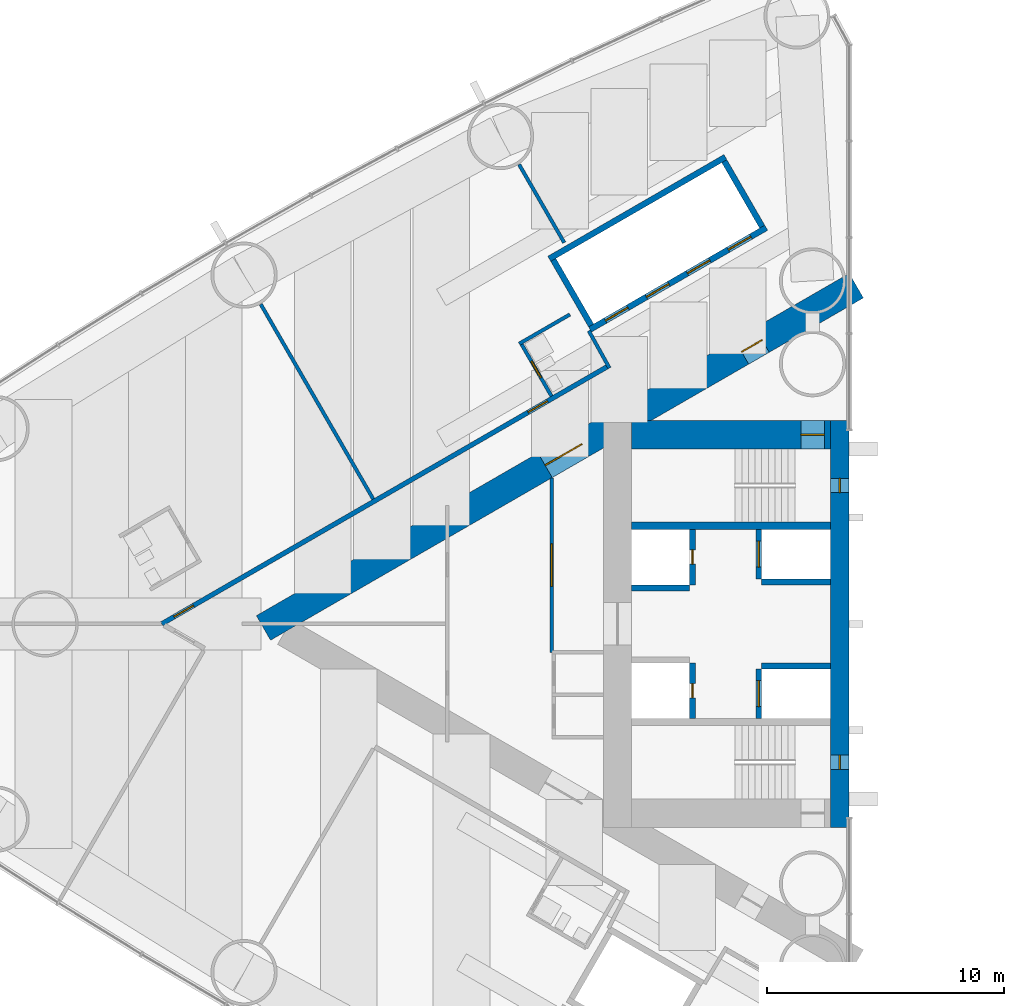
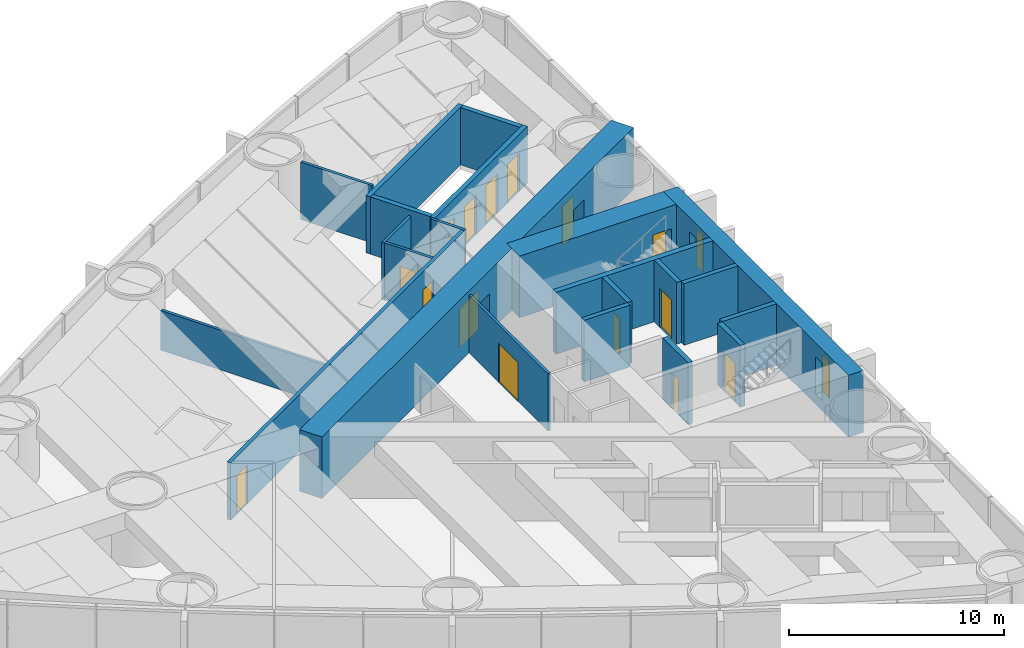
# One storey, part 12 of 18: 22 walls, 15 doors, 2 windows, 17 openings.
"""IFC4 building model written with IfcOpenShell, lengths in metres."""

from ifc_helpers import new_model, si_unit, direction, frame, frame_2d, origin, place, context, subcontext, project, spatial, rectangle, extrude, material, layer, layer_set, type_object, element, fill, save


model = new_model("IFC4")

# Units and contexts
model_context = context("Model", 3, precision=1e-05, world=origin(), true_north=direction((0.0, 1.0)))
body_context = subcontext(model_context, "Body", "Model", "MODEL_VIEW")
ifc_project = project(units=[si_unit("LENGTHUNIT", "METRE"), si_unit("AREAUNIT", "SQUARE_METRE"), si_unit("VOLUMEUNIT", "CUBIC_METRE"), si_unit("PLANEANGLEUNIT", "RADIAN"), si_unit("MASSUNIT", "GRAM", prefix="KILO")], contexts=[model_context])

# Site, building, storey
site_placement = place(None, origin())
site = spatial("IfcSite", under=ifc_project, at=site_placement, CompositionType="ELEMENT")
building_placement = place(site_placement, origin())
building = spatial("IfcBuilding", under=site, at=building_placement, Name="Lancet Gate Hotel", CompositionType="ELEMENT")
storey_placement = place(building_placement, frame((0.0, 0.0, 49.5)))
storey = spatial("IfcBuildingStorey", under=building, at=storey_placement, Name="L12", CompositionType="ELEMENT", Elevation=49.5)

# Wall
ifc_material_1 = material(Name="Moisture resistant board partition")
ifc_layer_1 = layer(ifc_material_1, 0.14990234375)
ifc_layer_set_1 = layer_set([ifc_layer_1], Name="Bathroom wall 150")
wall_type_1 = type_object("IfcWallType", Name="Bathroom wall 150", PredefinedType="PARTITIONING", material=ifc_layer_set_1)
wall_1_placement = place(storey_placement, frame((-39.309814453125, 13.081787109375, 0.0), z_axis=(0.0, 0.0, 1.0), x_axis=(-0.866031185235, -0.4999899861, 0.0)))
element("IfcWall", 1, at=wall_1_placement, inside=storey, type_object=wall_type_1, Name="T1 bathroom wall 150 L12", PredefinedType="PARTITIONING", context=body_context, shape_type="SweptSolid", body=[
    extrude(rectangle(XDim=2.47509765625, YDim=0.14990234375, at=frame_2d((1.237548828125, 0.0))), origin(), (0.0, 0.0, 1.0), 3.25),
])

# Wall, opening, door
wall_2_placement = place(storey_placement, frame((-40.08837890625, 9.630126953125, 0.0), z_axis=(0.0, 0.0, 1.0), x_axis=(-0.500006934395, 0.866021400173, 0.0)))
wall_2 = element("IfcWall", 2, at=wall_2_placement, inside=storey, type_object=wall_type_1, Name="T1 bathroom wall 150 L12", PredefinedType="PARTITIONING", context=body_context, shape_type="SweptSolid", body=[
    extrude(rectangle(XDim=2.60009765625, YDim=0.14990234375, at=frame_2d((1.300048828125, 0.0))), origin(), (0.0, 0.0, 1.0), 3.25),
])
opening_1_placement = place(wall_2_placement, frame((0.89990234375, 0.0, 0.0)))
opening_1 = element("IfcOpeningElement", 3, at=opening_1_placement, cuts=wall_2, Name="Opening 1202-B", PredefinedType="OPENING", context=body_context, shape_type="SweptSolid", body=[
    extrude(rectangle(XDim=0.800048828125, YDim=2.199951171875, at=frame_2d((0.39990234375, 1.10009765625))), frame((0.0, 0.0849609375, 0.0), z_axis=(0.0, -1.0, 0.0), x_axis=(1.0, 0.0, 0.0)), (0.0, 0.0, 1.0), 0.169921875),
])
ifc_material_2 = material(Name="Timber door set", Category="wood")
door_type_1 = type_object("IfcDoorType", Name="Bathroom door 800", OperationType="SINGLE_SWING_RIGHT", PredefinedType="DOOR", material=ifc_material_2)
door_1_placement = place(opening_1_placement, origin())
door_1 = element("IfcDoor", 4, at=door_1_placement, inside=storey, type_object=door_type_1, Name="1202-B", OperationType="SINGLE_SWING_RIGHT", OverallHeight=2.199951171875, OverallWidth=0.800048828125, PredefinedType="DOOR", context=body_context, shape_type="SweptSolid", body=[
    extrude(rectangle(XDim=0.800048828125, YDim=2.199951171875, at=frame_2d((0.39990234375, 1.10009765625))), frame((0.0, 0.02490234375, 0.0), z_axis=(0.0, -1.0, 0.0), x_axis=(1.0, 0.0, 0.0)), (0.0, 0.0, 1.0), 0.050048828125),
])
fill(opening_1, door_1)

# Wall, openings, doors
ifc_material_3 = material(Name="Concrete C70/85", Category="concrete")
ifc_layer_2 = layer(ifc_material_3, 1.199951171875)
ifc_layer_set_2 = layer_set([ifc_layer_2], Name="Buttress wall 1200")
wall_type_2 = type_object("IfcWallType", Name="Buttress wall 1200", PredefinedType="SHEAR", material=ifc_layer_set_2)
wall_3_placement = place(storey_placement, frame((-27.199951171875, 14.300048828125, 0.0), z_axis=(0.0, 0.0, 1.0), x_axis=(-0.866026593062, -0.499997940104, 0.0)))
wall_3 = element("IfcWall", 5, at=wall_3_placement, inside=storey, type_object=wall_type_2, Name="T1 buttress wall S L12", PredefinedType="SHEAR", context=body_context, shape_type="SweptSolid", body=[
    extrude(rectangle(XDim=28.9462890625, YDim=1.199951171875, at=frame_2d((14.47314453125, 0.0))), origin(), (0.0, 0.0, 1.0), 3.5),
])
opening_2_placement = place(wall_3_placement, frame((4.60009765625, 0.0, 0.0)))
opening_2 = element("IfcOpeningElement", 6, at=opening_2_placement, cuts=wall_3, Name="Opening T1-L12-LS", PredefinedType="OPENING", context=body_context, shape_type="SweptSolid", body=[
    extrude(rectangle(XDim=1.0, YDim=2.199951171875, at=frame_2d((0.5, 1.10009765625))), frame((0.0, 0.60986328125, 0.0), z_axis=(0.0, -1.0, 0.0), x_axis=(1.0, 0.0, 0.0)), (0.0, 0.0, 1.0), 1.219970703125),
])
opening_3_placement = place(wall_3_placement, frame((13.39453125, 0.0, 0.0)))
opening_3 = element("IfcOpeningElement", 7, at=opening_3_placement, cuts=wall_3, Name="Opening T1-L12-LHS", PredefinedType="OPENING", context=body_context, shape_type="SweptSolid", body=[
    extrude(rectangle(XDim=1.800048828125, YDim=2.199951171875, at=frame_2d((0.89990234375, 1.10009765625))), frame((0.0, 0.60986328125, 0.0), z_axis=(0.0, -1.0, 0.0), x_axis=(1.0, 0.0, 0.0)), (0.0, 0.0, 1.0), 1.219970703125),
])
ifc_material_4 = material(Name="Timber door set", Category="wood")
door_type_2 = type_object("IfcDoorType", Name="Lobby double door 1800", OperationType="DOUBLE_DOOR_SINGLE_SWING", PredefinedType="DOOR", material=ifc_material_4)
door_2_placement = place(opening_3_placement, origin())
door_2 = element("IfcDoor", 8, at=door_2_placement, inside=storey, type_object=door_type_2, Name="T1-L12-LHS", OperationType="DOUBLE_DOOR_SINGLE_SWING", OverallHeight=2.199951171875, OverallWidth=1.800048828125, PredefinedType="DOOR", context=body_context, shape_type="SweptSolid", body=[
    extrude(rectangle(XDim=1.800048828125, YDim=2.199951171875, at=frame_2d((0.89990234375, 1.10009765625))), frame((0.0, 0.02490234375, 0.0), z_axis=(0.0, -1.0, 0.0), x_axis=(1.0, 0.0, 0.0)), (0.0, 0.0, 1.0), 0.050048828125),
])
fill(opening_3, door_2)
ifc_material_5 = material(Name="Timber door set", Category="wood")
door_type_3 = type_object("IfcDoorType", Name="Stair lobby door 1000", OperationType="SINGLE_SWING_LEFT", PredefinedType="DOOR", material=ifc_material_5)
door_3_placement = place(opening_2_placement, origin())
door_3 = element("IfcDoor", 9, at=door_3_placement, inside=storey, type_object=door_type_3, Name="T1-L12-LS", OperationType="SINGLE_SWING_LEFT", OverallHeight=2.199951171875, OverallWidth=1.0, PredefinedType="DOOR", context=body_context, shape_type="SweptSolid", body=[
    extrude(rectangle(XDim=1.0, YDim=2.199951171875, at=frame_2d((0.5, 1.10009765625))), frame((0.0, 0.02490234375, 0.0), z_axis=(0.0, -1.0, 0.0), x_axis=(1.0, 0.0, 0.0)), (0.0, 0.0, 1.0), 0.050048828125),
])
fill(opening_2, door_3)

# Wall, opening, door
ifc_material_6 = material(Name="Concrete C70/85", Category="concrete")
ifc_layer_3 = layer(ifc_material_6, 1.199951171875)
ifc_layer_set_3 = layer_set([ifc_layer_3], Name="Core wall 1200")
wall_type_3 = type_object("IfcWallType", Name="Core wall 1200", PredefinedType="SHEAR", material=ifc_layer_set_3)
wall_4_placement = place(storey_placement, frame((-28.300048828125, 8.0, 0.0), z_axis=(0.0, 0.0, 1.0), x_axis=(-1.0, 0.0, 0.0)))
wall_4 = element("IfcWall", 10, at=wall_4_placement, inside=storey, type_object=wall_type_3, Name="T1 core wall side-S L12", PredefinedType="SHEAR", context=body_context, shape_type="SweptSolid", body=[
    extrude(rectangle(XDim=8.39990234375, YDim=1.199951171875, at=frame_2d((4.199951171875, 0.0))), origin(), (0.0, 0.0, 1.0), 3.5),
])
opening_4_placement = place(wall_4_placement, frame((0.25, 0.0, 0.0)))
opening_4 = element("IfcOpeningElement", 11, at=opening_4_placement, cuts=wall_4, Name="Opening T1-L12-ST1", PredefinedType="OPENING", context=body_context, shape_type="SweptSolid", body=[
    extrude(rectangle(XDim=1.0, YDim=2.199951171875, at=frame_2d((0.5, 1.10009765625))), frame((0.0, 0.60986328125, 0.0), z_axis=(0.0, -1.0, 0.0), x_axis=(1.0, 0.0, 0.0)), (0.0, 0.0, 1.0), 1.219970703125),
])
ifc_material_7 = material(Name="Timber door set", Category="wood")
door_type_4 = type_object("IfcDoorType", Name="Stair door 1000", OperationType="SINGLE_SWING_RIGHT", PredefinedType="DOOR", material=ifc_material_7)
door_4_placement = place(opening_4_placement, origin())
door_4 = element("IfcDoor", 12, at=door_4_placement, inside=storey, type_object=door_type_4, Name="T1-L12-ST1", OperationType="SINGLE_SWING_RIGHT", OverallHeight=2.199951171875, OverallWidth=1.0, PredefinedType="DOOR", context=body_context, shape_type="SweptSolid", body=[
    extrude(rectangle(XDim=1.0, YDim=2.199951171875, at=frame_2d((0.5, 1.10009765625))), frame((0.0, 0.02490234375, 0.0), z_axis=(0.0, -1.0, 0.0), x_axis=(1.0, 0.0, 0.0)), (0.0, 0.0, 1.0), 0.050048828125),
])
fill(opening_4, door_4)

# Wall, openings, windows
ifc_material_8 = material(Name="Concrete C70/85", Category="concrete")
ifc_layer_4 = layer(ifc_material_8, 0.800048828125)
ifc_layer_set_4 = layer_set([ifc_layer_4], Name="Core wall 800")
wall_type_4 = type_object("IfcWallType", Name="Core wall 800", PredefinedType="SHEAR", material=ifc_layer_set_4)
wall_5_placement = place(storey_placement, frame((-27.89990234375, 8.60009765625, 0.0), z_axis=(0.0, 0.0, 1.0), x_axis=(0.0, -1.0, 0.0)))
wall_5 = element("IfcWall", 13, at=wall_5_placement, inside=storey, type_object=wall_type_4, Name="T1 core wall front L12", PredefinedType="SHEAR", context=body_context, shape_type="SweptSolid", body=[
    extrude(rectangle(XDim=17.2001953125, YDim=0.800048828125, at=frame_2d((8.60009765625, 0.0))), origin(), (0.0, 0.0, 1.0), 3.5),
])
opening_5_placement = place(wall_5_placement, frame((2.449951171875, 0.0, 0.60009765625)))
opening_5 = element("IfcOpeningElement", 14, at=opening_5_placement, cuts=wall_5, Name="Opening LW1", PredefinedType="OPENING", context=body_context, shape_type="SweptSolid", body=[
    extrude(rectangle(XDim=0.60009765625, YDim=2.10009765625, at=frame_2d((0.300048828125, 1.050048828125))), frame((0.0, 0.409912109375, 0.0), z_axis=(0.0, -1.0, 0.0), x_axis=(1.0, 0.0, 0.0)), (0.0, 0.0, 1.0), 0.820068359375),
])
opening_6_placement = place(wall_5_placement, frame((14.14990234375, 0.0, 0.60009765625)))
opening_6 = element("IfcOpeningElement", 15, at=opening_6_placement, cuts=wall_5, Name="Opening LW1", PredefinedType="OPENING", context=body_context, shape_type="SweptSolid", body=[
    extrude(rectangle(XDim=0.60009765625, YDim=2.10009765625, at=frame_2d((0.300048828125, 1.050048828125))), frame((0.0, 0.409912109375, 0.0), z_axis=(0.0, -1.0, 0.0), x_axis=(1.0, 0.0, 0.0)), (0.0, 0.0, 1.0), 0.820068359375),
])
ifc_material_9 = material(Name="Fire-resisting glazed steel window", Category="steel")
window_type = type_object("IfcWindowType", Name="Lancet window 600x2100", PartitioningType="SINGLE_PANEL", PredefinedType="WINDOW", material=ifc_material_9)
window_1_placement = place(opening_5_placement, origin())
window_1 = element("IfcWindow", 16, at=window_1_placement, inside=storey, type_object=window_type, Name="T1 stair window S L12", OverallHeight=2.10009765625, OverallWidth=0.60009765625, PartitioningType="SINGLE_PANEL", PredefinedType="WINDOW", context=body_context, shape_type="SweptSolid", body=[
    extrude(rectangle(XDim=0.60009765625, YDim=2.10009765625, at=frame_2d((0.300048828125, 1.050048828125))), frame((0.0, 0.030029296875, 0.0), z_axis=(0.0, -1.0, 0.0), x_axis=(1.0, 0.0, 0.0)), (0.0, 0.0, 1.0), 0.06005859375),
])
fill(opening_5, window_1)
window_2_placement = place(opening_6_placement, origin())
window_2 = element("IfcWindow", 17, at=window_2_placement, inside=storey, type_object=window_type, Name="T1 stair window N L12", OverallHeight=2.10009765625, OverallWidth=0.60009765625, PartitioningType="SINGLE_PANEL", PredefinedType="WINDOW", context=body_context, shape_type="SweptSolid", body=[
    extrude(rectangle(XDim=0.60009765625, YDim=2.10009765625, at=frame_2d((0.300048828125, 1.050048828125))), frame((0.0, 0.030029296875, 0.0), z_axis=(0.0, -1.0, 0.0), x_axis=(1.0, 0.0, 0.0)), (0.0, 0.0, 1.0), 0.06005859375),
])
fill(opening_6, window_2)

# Wall, openings, doors
ifc_material_10 = material(Name="Gypsum board partition")
ifc_layer_5 = layer(ifc_material_10, 0.199951171875)
ifc_layer_set_5 = layer_set([ifc_layer_5], Name="Corridor wall 200")
wall_type_5 = type_object("IfcWallType", Name="Corridor wall 200", PredefinedType="PARTITIONING", material=ifc_layer_set_5)
wall_6_placement = place(storey_placement, frame((-37.699951171875, 10.8935546875, 0.0), z_axis=(0.0, 0.0, 1.0), x_axis=(-0.866027905338, -0.499995667157, 0.0)))
wall_6 = element("IfcWall", 18, at=wall_6_placement, inside=storey, type_object=wall_type_5, Name="T1 corridor wall 200 L12", PredefinedType="PARTITIONING", context=body_context, shape_type="SweptSolid", body=[
    extrude(rectangle(XDim=21.787353515625, YDim=0.199951171875, at=frame_2d((10.8935546875, 0.0))), origin(), (0.0, 0.0, 1.0), 3.25),
])
opening_7_placement = place(wall_6_placement, frame((20.237060546875, 0.0, 0.0)))
opening_7 = element("IfcOpeningElement", 19, at=opening_7_placement, cuts=wall_6, Name="Opening 1203-E", PredefinedType="OPENING", context=body_context, shape_type="SweptSolid", body=[
    extrude(rectangle(XDim=0.949951171875, YDim=2.199951171875, at=frame_2d((0.47509765625, 1.10009765625))), frame((0.0, 0.10986328125, 0.0), z_axis=(0.0, -1.0, 0.0), x_axis=(1.0, 0.0, 0.0)), (0.0, 0.0, 1.0), 0.219970703125),
])
opening_8_placement = place(wall_6_placement, frame((2.949951171875, 0.0, 0.0)))
opening_8 = element("IfcOpeningElement", 20, at=opening_8_placement, cuts=wall_6, Name="Opening 1202-E", PredefinedType="OPENING", context=body_context, shape_type="SweptSolid", body=[
    extrude(rectangle(XDim=0.949951171875, YDim=2.199951171875, at=frame_2d((0.47509765625, 1.10009765625))), frame((0.0, 0.10986328125, 0.0), z_axis=(0.0, -1.0, 0.0), x_axis=(1.0, 0.0, 0.0)), (0.0, 0.0, 1.0), 0.219970703125),
])
ifc_material_11 = material(Name="Timber door set", Category="wood")
door_type_5 = type_object("IfcDoorType", Name="Guest room entry door 950", OperationType="SINGLE_SWING_LEFT", PredefinedType="DOOR", material=ifc_material_11)
door_5_placement = place(opening_7_placement, origin())
door_5 = element("IfcDoor", 21, at=door_5_placement, inside=storey, type_object=door_type_5, Name="1203-E", OperationType="SINGLE_SWING_LEFT", OverallHeight=2.199951171875, OverallWidth=0.949951171875, PredefinedType="DOOR", context=body_context, shape_type="SweptSolid", body=[
    extrude(rectangle(XDim=0.949951171875, YDim=2.199951171875, at=frame_2d((0.47509765625, 1.10009765625))), frame((0.0, 0.02490234375, 0.0), z_axis=(0.0, -1.0, 0.0), x_axis=(1.0, 0.0, 0.0)), (0.0, 0.0, 1.0), 0.050048828125),
])
fill(opening_7, door_5)
door_6_placement = place(opening_8_placement, origin())
door_6 = element("IfcDoor", 22, at=door_6_placement, inside=storey, type_object=door_type_5, Name="1202-E", OperationType="SINGLE_SWING_LEFT", OverallHeight=2.199951171875, OverallWidth=0.949951171875, PredefinedType="DOOR", context=body_context, shape_type="SweptSolid", body=[
    extrude(rectangle(XDim=0.949951171875, YDim=2.199951171875, at=frame_2d((0.47509765625, 1.10009765625))), frame((0.0, 0.02490234375, 0.0), z_axis=(0.0, -1.0, 0.0), x_axis=(1.0, 0.0, 0.0)), (0.0, 0.0, 1.0), 0.050048828125),
])
fill(opening_8, door_6)

ifc_material_12 = material(Name="Gypsum board partition")
ifc_layer_6 = layer(ifc_material_12, 0.25)
ifc_layer_set_6 = layer_set([ifc_layer_6], Name="Lift shaft partition 250")
wall_type_6 = type_object("IfcWallType", Name="Lift shaft partition 250", PredefinedType="PARTITIONING", material=ifc_layer_set_6)
wall_7_placement = place(storey_placement, frame((-31.010498046875, 16.747314453125, 0.0), z_axis=(0.0, 0.0, 1.0), x_axis=(-0.866028165386, -0.499995216735, 0.0)))
wall_7 = element("IfcWall", 23, at=wall_7_placement, inside=storey, type_object=wall_type_6, Name="T1 lift shaft wall LR L12", PredefinedType="PARTITIONING", context=body_context, shape_type="SweptSolid", body=[
    extrude(rectangle(XDim=8.60009765625, YDim=0.25, at=frame_2d((4.300048828125, 0.0))), origin(), (0.0, 0.0, 1.0), 3.25),
])
opening_9_placement = place(wall_7_placement, frame((0.75, 0.0, 0.0)))
opening_9 = element("IfcOpeningElement", 24, at=opening_9_placement, cuts=wall_7, Name="Opening T1-LR1-L12", PredefinedType="OPENING", context=body_context, shape_type="SweptSolid", body=[
    extrude(rectangle(XDim=1.10009765625, YDim=2.199951171875, at=frame_2d((0.550048828125, 1.10009765625))), frame((0.0, 0.135009765625, 0.0), z_axis=(0.0, -1.0, 0.0), x_axis=(1.0, 0.0, 0.0)), (0.0, 0.0, 1.0), 0.27001953125),
])
opening_10_placement = place(wall_7_placement, frame((2.75, 0.0, 0.0)))
opening_10 = element("IfcOpeningElement", 25, at=opening_10_placement, cuts=wall_7, Name="Opening T1-LR2-L12", PredefinedType="OPENING", context=body_context, shape_type="SweptSolid", body=[
    extrude(rectangle(XDim=1.10009765625, YDim=2.199951171875, at=frame_2d((0.550048828125, 1.10009765625))), frame((0.0, 0.135009765625, 0.0), z_axis=(0.0, -1.0, 0.0), x_axis=(1.0, 0.0, 0.0)), (0.0, 0.0, 1.0), 0.27001953125),
])
opening_11_placement = place(wall_7_placement, frame((4.75, 0.0, 0.0)))
opening_11 = element("IfcOpeningElement", 26, at=opening_11_placement, cuts=wall_7, Name="Opening T1-LR3-L12", PredefinedType="OPENING", context=body_context, shape_type="SweptSolid", body=[
    extrude(rectangle(XDim=1.10009765625, YDim=2.199951171875, at=frame_2d((0.550048828125, 1.10009765625))), frame((0.0, 0.135009765625, 0.0), z_axis=(0.0, -1.0, 0.0), x_axis=(1.0, 0.0, 0.0)), (0.0, 0.0, 1.0), 0.27001953125),
])
opening_12_placement = place(wall_7_placement, frame((6.75, 0.0, 0.0)))
opening_12 = element("IfcOpeningElement", 27, at=opening_12_placement, cuts=wall_7, Name="Opening T1-LR4-L12", PredefinedType="OPENING", context=body_context, shape_type="SweptSolid", body=[
    extrude(rectangle(XDim=1.10009765625, YDim=2.199951171875, at=frame_2d((0.550048828125, 1.10009765625))), frame((0.0, 0.135009765625, 0.0), z_axis=(0.0, -1.0, 0.0), x_axis=(1.0, 0.0, 0.0)), (0.0, 0.0, 1.0), 0.27001953125),
])
ifc_material_13 = material(Name="Steel door set", Category="steel")
door_type_6 = type_object("IfcDoorType", Name="Lift landing door 1100", OperationType="DOUBLE_DOOR_SLIDING", PredefinedType="USERDEFINED", material=ifc_material_13)
door_7_placement = place(opening_9_placement, origin())
door_7 = element("IfcDoor", 28, at=door_7_placement, inside=storey, type_object=door_type_6, Name="T1-LR1-L12", ObjectType="LIFT LANDING DOOR", OperationType="DOUBLE_DOOR_SLIDING", OverallHeight=2.199951171875, OverallWidth=1.10009765625, PredefinedType="USERDEFINED", context=body_context, shape_type="SweptSolid", body=[
    extrude(rectangle(XDim=1.10009765625, YDim=2.199951171875, at=frame_2d((0.550048828125, 1.10009765625))), frame((0.0, 0.02490234375, 0.0), z_axis=(0.0, -1.0, 0.0), x_axis=(1.0, 0.0, 0.0)), (0.0, 0.0, 1.0), 0.050048828125),
])
fill(opening_9, door_7)
door_8_placement = place(opening_10_placement, origin())
door_8 = element("IfcDoor", 29, at=door_8_placement, inside=storey, type_object=door_type_6, Name="T1-LR2-L12", ObjectType="LIFT LANDING DOOR", OperationType="DOUBLE_DOOR_SLIDING", OverallHeight=2.199951171875, OverallWidth=1.10009765625, PredefinedType="USERDEFINED", context=body_context, shape_type="SweptSolid", body=[
    extrude(rectangle(XDim=1.10009765625, YDim=2.199951171875, at=frame_2d((0.550048828125, 1.10009765625))), frame((0.0, 0.02490234375, 0.0), z_axis=(0.0, -1.0, 0.0), x_axis=(1.0, 0.0, 0.0)), (0.0, 0.0, 1.0), 0.050048828125),
])
fill(opening_10, door_8)
door_9_placement = place(opening_11_placement, origin())
door_9 = element("IfcDoor", 30, at=door_9_placement, inside=storey, type_object=door_type_6, Name="T1-LR3-L12", ObjectType="LIFT LANDING DOOR", OperationType="DOUBLE_DOOR_SLIDING", OverallHeight=2.199951171875, OverallWidth=1.10009765625, PredefinedType="USERDEFINED", context=body_context, shape_type="SweptSolid", body=[
    extrude(rectangle(XDim=1.10009765625, YDim=2.199951171875, at=frame_2d((0.550048828125, 1.10009765625))), frame((0.0, 0.02490234375, 0.0), z_axis=(0.0, -1.0, 0.0), x_axis=(1.0, 0.0, 0.0)), (0.0, 0.0, 1.0), 0.050048828125),
])
fill(opening_11, door_9)
door_10_placement = place(opening_12_placement, origin())
door_10 = element("IfcDoor", 31, at=door_10_placement, inside=storey, type_object=door_type_6, Name="T1-LR4-L12", ObjectType="LIFT LANDING DOOR", OperationType="DOUBLE_DOOR_SLIDING", OverallHeight=2.199951171875, OverallWidth=1.10009765625, PredefinedType="USERDEFINED", context=body_context, shape_type="SweptSolid", body=[
    extrude(rectangle(XDim=1.10009765625, YDim=2.199951171875, at=frame_2d((0.550048828125, 1.10009765625))), frame((0.0, 0.02490234375, 0.0), z_axis=(0.0, -1.0, 0.0), x_axis=(1.0, 0.0, 0.0)), (0.0, 0.0, 1.0), 0.050048828125),
])
fill(opening_12, door_10)

# Walls
wall_8_placement = place(storey_placement, frame((-32.735595703125, 19.73583984375, 0.0), z_axis=(0.0, 0.0, 1.0), x_axis=(-0.866028165386, -0.499995216735, 0.0)))
element("IfcWall", 32, at=wall_8_placement, inside=storey, type_object=wall_type_6, Name="T1 lift shaft wall LR L12", PredefinedType="PARTITIONING", context=body_context, shape_type="SweptSolid", body=[
    extrude(rectangle(XDim=8.60009765625, YDim=0.25, at=frame_2d((4.300048828125, 0.0))), origin(), (0.0, 0.0, 1.0), 3.25),
])
wall_9_placement = place(storey_placement, frame((-31.18115234375, 16.79296875, 0.0), z_axis=(0.0, 0.0, 1.0), x_axis=(-0.499929347863, 0.866066190972, 0.0)))
element("IfcWall", 33, at=wall_9_placement, inside=storey, type_object=wall_type_6, Name="T1 lift shaft wall LR L12", PredefinedType="PARTITIONING", context=body_context, shape_type="SweptSolid", body=[
    extrude(rectangle(XDim=3.20068359375, YDim=0.25, at=frame_2d((1.600341796875, 0.0))), origin(), (0.0, 0.0, 1.0), 3.25),
])
wall_10_placement = place(storey_placement, frame((-38.412841796875, 12.617919921875, 0.0), z_axis=(0.0, 0.0, 1.0), x_axis=(-0.499872130319, 0.866099216793, 0.0)))
element("IfcWall", 34, at=wall_10_placement, inside=storey, type_object=wall_type_6, Name="T1 lift shaft wall LR L12", PredefinedType="PARTITIONING", context=body_context, shape_type="SweptSolid", body=[
    extrude(rectangle(XDim=3.200439453125, YDim=0.25, at=frame_2d((1.60009765625, 0.0))), origin(), (0.0, 0.0, 1.0), 3.25),
])

# Wall, opening, door
ifc_material_14 = material(Name="Concrete C50/60", Category="concrete")
ifc_layer_7 = layer(ifc_material_14, 0.25)
ifc_layer_set_7 = layer_set([ifc_layer_7], Name="Lift shaft wall 250")
wall_type_7 = type_object("IfcWallType", Name="Lift shaft wall 250", PredefinedType="SHEAR", material=ifc_layer_set_7)
wall_11_placement = place(storey_placement, frame((-31.324951171875, 4.0, 0.0), z_axis=(0.0, 0.0, 1.0), x_axis=(0.0, -1.0, 0.0)))
wall_11 = element("IfcWall", 35, at=wall_11_placement, inside=storey, type_object=wall_type_7, Name="T1 core wall row1-S L12", PredefinedType="SHEAR", context=body_context, shape_type="SweptSolid", body=[
    extrude(rectangle(XDim=2.10009765625, YDim=0.25, at=frame_2d((1.050048828125, 0.0))), origin(), (0.0, 0.0, 1.0), 3.5),
])
opening_13_placement = place(wall_11_placement, frame((0.5, 0.0, 0.0)))
opening_13 = element("IfcOpeningElement", 36, at=opening_13_placement, cuts=wall_11, Name="Opening T1-SL1-L12", PredefinedType="OPENING", context=body_context, shape_type="SweptSolid", body=[
    extrude(rectangle(XDim=1.10009765625, YDim=2.199951171875, at=frame_2d((0.550048828125, 1.10009765625))), frame((0.0, 0.135009765625, 0.0), z_axis=(0.0, -1.0, 0.0), x_axis=(1.0, 0.0, 0.0)), (0.0, 0.0, 1.0), 0.27001953125),
])
ifc_material_15 = material(Name="Timber door set", Category="wood")
door_type_7 = type_object("IfcDoorType", Name="Service lift landing door 1100", OperationType="SLIDING_TO_LEFT", PredefinedType="USERDEFINED", material=ifc_material_15)
door_11_placement = place(opening_13_placement, origin())
door_11 = element("IfcDoor", 37, at=door_11_placement, inside=storey, type_object=door_type_7, Name="T1-SL1-L12", ObjectType="LIFT LANDING DOOR", OperationType="SLIDING_TO_LEFT", OverallHeight=2.199951171875, OverallWidth=1.10009765625, PredefinedType="USERDEFINED", context=body_context, shape_type="SweptSolid", body=[
    extrude(rectangle(XDim=1.10009765625, YDim=2.199951171875, at=frame_2d((0.550048828125, 1.10009765625))), frame((0.0, 0.02490234375, 0.0), z_axis=(0.0, -1.0, 0.0), x_axis=(1.0, 0.0, 0.0)), (0.0, 0.0, 1.0), 0.050048828125),
])
fill(opening_13, door_11)

wall_12_placement = place(storey_placement, frame((-34.125, 4.0, 0.0), z_axis=(0.0, 0.0, 1.0), x_axis=(0.0, -1.0, 0.0)))
wall_12 = element("IfcWall", 38, at=wall_12_placement, inside=storey, type_object=wall_type_7, Name="T1 core wall row2-S L12", PredefinedType="SHEAR", context=body_context, shape_type="SweptSolid", body=[
    extrude(rectangle(XDim=2.35009765625, YDim=0.25, at=frame_2d((1.175048828125, 0.0))), origin(), (0.0, 0.0, 1.0), 3.5),
])
opening_14_placement = place(wall_12_placement, frame((0.875, 0.0, 0.0)))
opening_14 = element("IfcOpeningElement", 39, at=opening_14_placement, cuts=wall_12, Name="Opening T1-OL3-L12-E", PredefinedType="OPENING", context=body_context, shape_type="SweptSolid", body=[
    extrude(rectangle(XDim=0.60009765625, YDim=2.0, at=frame_2d((0.300048828125, 1.0))), frame((0.0, 0.135009765625, 0.0), z_axis=(0.0, -1.0, 0.0), x_axis=(1.0, 0.0, 0.0)), (0.0, 0.0, 1.0), 0.27001953125),
])
ifc_material_16 = material(Name="Steel door set", Category="steel")
door_type_8 = type_object("IfcDoorType", Name="Lift shaft emergency door 600x2000", OperationType="SLIDING_TO_LEFT", PredefinedType="DOOR", material=ifc_material_16)
door_12_placement = place(opening_14_placement, origin())
door_12 = element("IfcDoor", 40, at=door_12_placement, inside=storey, type_object=door_type_8, Name="T1-OL3-L12-E", OperationType="SLIDING_TO_LEFT", OverallHeight=2.0, OverallWidth=0.60009765625, PredefinedType="DOOR", context=body_context, shape_type="SweptSolid", body=[
    extrude(rectangle(XDim=0.60009765625, YDim=2.0, at=frame_2d((0.300048828125, 1.0))), frame((0.0, 0.02490234375, 0.0), z_axis=(0.0, -1.0, 0.0), x_axis=(1.0, 0.0, 0.0)), (0.0, 0.0, 1.0), 0.050048828125),
])
fill(opening_14, door_12)

# Walls
wall_13_placement = place(storey_placement, frame((-28.300048828125, 1.77490234375, 0.0), z_axis=(0.0, 0.0, 1.0), x_axis=(-1.0, 0.0, 0.0)))
element("IfcWall", 41, at=wall_13_placement, inside=storey, type_object=wall_type_7, Name="T1 core wall pass1-S L12", PredefinedType="SHEAR", context=body_context, shape_type="SweptSolid", body=[
    extrude(rectangle(XDim=2.89990234375, YDim=0.25, at=frame_2d((1.449951171875, 0.0))), origin(), (0.0, 0.0, 1.0), 3.5),
])
wall_14_placement = place(storey_placement, frame((-34.25, 1.52490234375, 0.0), z_axis=(0.0, 0.0, 1.0), x_axis=(-1.0, 0.0, 0.0)))
element("IfcWall", 42, at=wall_14_placement, inside=storey, type_object=wall_type_7, Name="T1 core wall pass2-S L12", PredefinedType="SHEAR", context=body_context, shape_type="SweptSolid", body=[
    extrude(rectangle(XDim=2.449951171875, YDim=0.25, at=frame_2d((1.22509765625, 0.0))), origin(), (0.0, 0.0, 1.0), 3.5),
])

# Wall, opening, door
wall_15_placement = place(storey_placement, frame((-31.324951171875, -1.89990234375, 0.0), z_axis=(0.0, 0.0, 1.0), x_axis=(0.0, -1.0, 0.0)))
wall_15 = element("IfcWall", 43, at=wall_15_placement, inside=storey, type_object=wall_type_7, Name="T1 core wall row1-N L12", PredefinedType="SHEAR", context=body_context, shape_type="SweptSolid", body=[
    extrude(rectangle(XDim=2.10009765625, YDim=0.25, at=frame_2d((1.050048828125, 0.0))), origin(), (0.0, 0.0, 1.0), 3.5),
])
opening_15_placement = place(wall_15_placement, frame((0.5, 0.0, 0.0)))
opening_15 = element("IfcOpeningElement", 44, at=opening_15_placement, cuts=wall_15, Name="Opening T1-FL2-L12", PredefinedType="OPENING", context=body_context, shape_type="SweptSolid", body=[
    extrude(rectangle(XDim=1.10009765625, YDim=2.199951171875, at=frame_2d((0.550048828125, 1.10009765625))), frame((0.0, 0.135009765625, 0.0), z_axis=(0.0, -1.0, 0.0), x_axis=(1.0, 0.0, 0.0)), (0.0, 0.0, 1.0), 0.27001953125),
])
ifc_material_17 = material(Name="Steel door set", Category="steel")
door_type_9 = type_object("IfcDoorType", Name="Firefighting lift landing door 1100", OperationType="SLIDING_TO_LEFT", PredefinedType="USERDEFINED", material=ifc_material_17)
door_13_placement = place(opening_15_placement, origin())
door_13 = element("IfcDoor", 45, at=door_13_placement, inside=storey, type_object=door_type_9, Name="T1-FL2-L12", ObjectType="LIFT LANDING DOOR", OperationType="SLIDING_TO_LEFT", OverallHeight=2.199951171875, OverallWidth=1.10009765625, PredefinedType="USERDEFINED", context=body_context, shape_type="SweptSolid", body=[
    extrude(rectangle(XDim=1.10009765625, YDim=2.199951171875, at=frame_2d((0.550048828125, 1.10009765625))), frame((0.0, 0.02490234375, 0.0), z_axis=(0.0, -1.0, 0.0), x_axis=(1.0, 0.0, 0.0)), (0.0, 0.0, 1.0), 0.050048828125),
])
fill(opening_15, door_13)

wall_16_placement = place(storey_placement, frame((-34.125, -1.64990234375, 0.0), z_axis=(0.0, 0.0, 1.0), x_axis=(0.0, -1.0, 0.0)))
wall_16 = element("IfcWall", 46, at=wall_16_placement, inside=storey, type_object=wall_type_7, Name="T1 core wall row2-N L12", PredefinedType="SHEAR", context=body_context, shape_type="SweptSolid", body=[
    extrude(rectangle(XDim=2.35009765625, YDim=0.25, at=frame_2d((1.175048828125, 0.0))), origin(), (0.0, 0.0, 1.0), 3.5),
])
opening_16_placement = place(wall_16_placement, frame((0.875, 0.0, 0.0)))
opening_16 = element("IfcOpeningElement", 47, at=opening_16_placement, cuts=wall_16, Name="Opening T1-OL4-L12-E", PredefinedType="OPENING", context=body_context, shape_type="SweptSolid", body=[
    extrude(rectangle(XDim=0.60009765625, YDim=2.0, at=frame_2d((0.300048828125, 1.0))), frame((0.0, 0.135009765625, 0.0), z_axis=(0.0, -1.0, 0.0), x_axis=(1.0, 0.0, 0.0)), (0.0, 0.0, 1.0), 0.27001953125),
])
door_14_placement = place(opening_16_placement, origin())
door_14 = element("IfcDoor", 48, at=door_14_placement, inside=storey, type_object=door_type_8, Name="T1-OL4-L12-E", OperationType="SLIDING_TO_LEFT", OverallHeight=2.0, OverallWidth=0.60009765625, PredefinedType="DOOR", context=body_context, shape_type="SweptSolid", body=[
    extrude(rectangle(XDim=0.60009765625, YDim=2.0, at=frame_2d((0.300048828125, 1.0))), frame((0.0, 0.02490234375, 0.0), z_axis=(0.0, -1.0, 0.0), x_axis=(1.0, 0.0, 0.0)), (0.0, 0.0, 1.0), 0.050048828125),
])
fill(opening_16, door_14)

# Walls
wall_17_placement = place(storey_placement, frame((-28.300048828125, -1.77490234375, 0.0), z_axis=(0.0, 0.0, 1.0), x_axis=(-1.0, 0.0, 0.0)))
element("IfcWall", 49, at=wall_17_placement, inside=storey, type_object=wall_type_7, Name="T1 core wall pass1-N L12", PredefinedType="SHEAR", context=body_context, shape_type="SweptSolid", body=[
    extrude(rectangle(XDim=2.89990234375, YDim=0.25, at=frame_2d((1.449951171875, 0.0))), origin(), (0.0, 0.0, 1.0), 3.5),
])
ifc_material_18 = material(Name="Gypsum board partition")
ifc_layer_8 = layer(ifc_material_18, 0.14990234375)
ifc_layer_set_8 = layer_set([ifc_layer_8], Name="Party wall 150")
wall_type_8 = type_object("IfcWallType", Name="Party wall 150", PredefinedType="PARTITIONING", material=ifc_layer_set_8)
wall_18_placement = place(storey_placement, frame((-47.626708984375, 5.27783203125, 0.0), z_axis=(0.0, 0.0, 1.0), x_axis=(-0.500009844318, 0.86601972009, 0.0)))
element("IfcWall", 50, at=wall_18_placement, inside=storey, type_object=wall_type_8, Name="T1 party wall 150 L12", PredefinedType="PARTITIONING", context=body_context, shape_type="SweptSolid", body=[
    extrude(rectangle(XDim=9.510498046875, YDim=0.14990234375, at=frame_2d((4.75537109375, 0.0))), origin(), (0.0, 0.0, 1.0), 2.25),
])
wall_19_placement = place(storey_placement, frame((-39.55078125, 16.11865234375, 0.0), z_axis=(0.0, 0.0, 1.0), x_axis=(-0.500014214979, 0.866017196607, 0.0)))
element("IfcWall", 51, at=wall_19_placement, inside=storey, type_object=wall_type_8, Name="T1 party wall 150 L12", PredefinedType="PARTITIONING", context=body_context, shape_type="SweptSolid", body=[
    extrude(rectangle(XDim=3.81494140625, YDim=0.14990234375, at=frame_2d((1.907470703125, 0.0))), origin(), (0.0, 0.0, 1.0), 3.25),
])
ifc_material_19 = material(Name="Gypsum board partition")
ifc_layer_9 = layer(ifc_material_19, 0.14990234375)
ifc_layer_set_9 = layer_set([ifc_layer_9], Name="Service room wall 150")
wall_type_9 = type_object("IfcWallType", Name="Service room wall 150", PredefinedType="PARTITIONING", material=ifc_layer_set_9)
wall_20_placement = place(storey_placement, frame((-38.513427734375, 12.392333984375, 0.0), z_axis=(0.0, 0.0, 1.0), x_axis=(0.485585508183, -0.874189175317, 0.0)))
element("IfcWall", 52, at=wall_20_placement, inside=storey, type_object=wall_type_9, Name="T1 service room wall 150 L12", PredefinedType="PARTITIONING", context=body_context, shape_type="SweptSolid", body=[
    extrude(rectangle(XDim=1.804931640625, YDim=0.14990234375, at=frame_2d((0.90234375, 0.0))), origin(), (0.0, 0.0, 1.0), 3.25),
])

# Wall, opening, door
wall_21_placement = place(storey_placement, frame((-40.074951171875, 6.173828125, 0.0), z_axis=(0.0, 0.0, 1.0), x_axis=(0.0, -1.0, 0.0)))
wall_21 = element("IfcWall", 53, at=wall_21_placement, inside=storey, type_object=wall_type_9, Name="T1 service room wall 150 L12", PredefinedType="PARTITIONING", context=body_context, shape_type="SweptSolid", body=[
    extrude(rectangle(XDim=7.373779296875, YDim=0.14990234375, at=frame_2d((3.68701171875, 0.0))), origin(), (0.0, 0.0, 1.0), 3.25),
])
opening_17_placement = place(wall_21_placement, frame((2.786865234375, 0.0, 0.0)))
opening_17 = element("IfcOpeningElement", 54, at=opening_17_placement, cuts=wall_21, Name="Opening T1-L12-LH", PredefinedType="OPENING", context=body_context, shape_type="SweptSolid", body=[
    extrude(rectangle(XDim=1.800048828125, YDim=2.199951171875, at=frame_2d((0.89990234375, 1.10009765625))), frame((0.0, 0.0849609375, 0.0), z_axis=(0.0, -1.0, 0.0), x_axis=(1.0, 0.0, 0.0)), (0.0, 0.0, 1.0), 0.169921875),
])
door_15_placement = place(opening_17_placement, origin())
door_15 = element("IfcDoor", 55, at=door_15_placement, inside=storey, type_object=door_type_2, Name="T1-L12-LH", OperationType="DOUBLE_DOOR_SINGLE_SWING", OverallHeight=2.199951171875, OverallWidth=1.800048828125, PredefinedType="DOOR", context=body_context, shape_type="SweptSolid", body=[
    extrude(rectangle(XDim=1.800048828125, YDim=2.199951171875, at=frame_2d((0.89990234375, 1.10009765625))), frame((0.0, 0.02490234375, 0.0), z_axis=(0.0, -1.0, 0.0), x_axis=(1.0, 0.0, 0.0)), (0.0, 0.0, 1.0), 0.050048828125),
])
fill(opening_17, door_15)

# Wall
ifc_material_20 = material(Name="Concrete C50/60", Category="concrete")
ifc_layer_10 = layer(ifc_material_20, 0.300048828125)
ifc_layer_set_10 = layer_set([ifc_layer_10], Name="Stair enclosure wall 300")
wall_type_10 = type_object("IfcWallType", Name="Stair enclosure wall 300", PredefinedType="SHEAR", material=ifc_layer_set_10)
wall_22_placement = place(storey_placement, frame((-28.300048828125, 4.14990234375, 0.0), z_axis=(0.0, 0.0, 1.0), x_axis=(-1.0, 0.0, 0.0)))
element("IfcWall", 56, at=wall_22_placement, inside=storey, type_object=wall_type_10, Name="T1 core wall stair-S L12", PredefinedType="SHEAR", context=body_context, shape_type="SweptSolid", body=[
    extrude(rectangle(XDim=8.39990234375, YDim=0.300048828125, at=frame_2d((4.199951171875, 0.0))), origin(), (0.0, 0.0, 1.0), 3.5),
])

save(model, "model.ifc")
